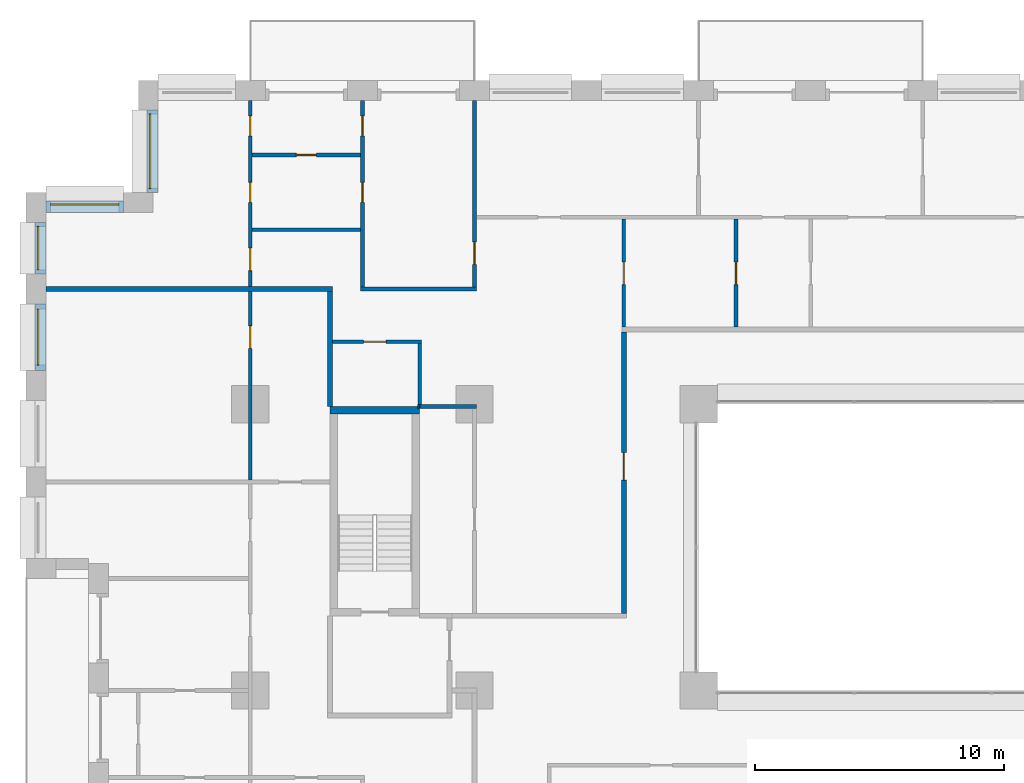
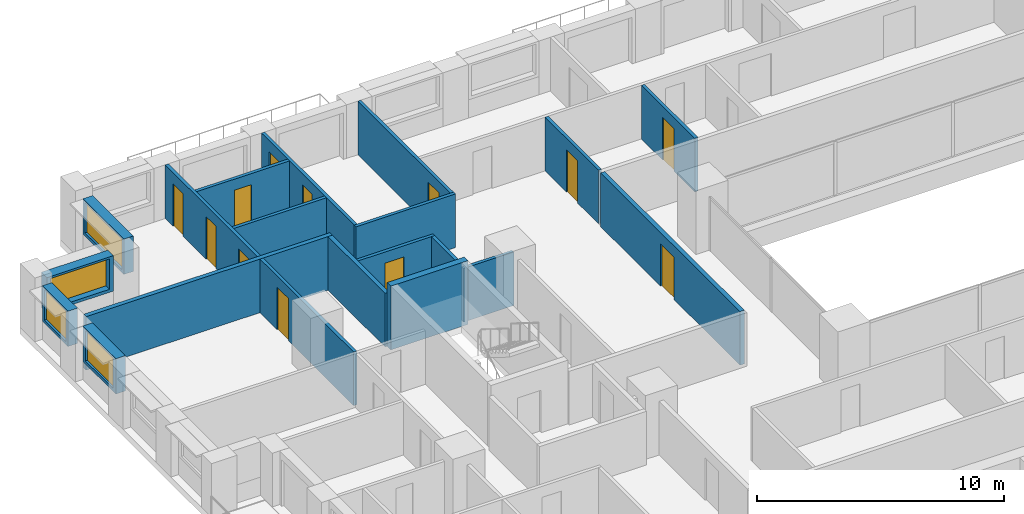
# One storey, part 13 of 20: 21 walls, 12 doors, 4 windows, 16 openings.
"""IFC4 building model written with IfcOpenShell, lengths in metres."""

from ifc_helpers import new_model, si_unit, direction, frame, frame_2d, origin, place, context, subcontext, project, spatial, rectangle, extrude, material, layer, layer_set, type_object, element, fill, save


model = new_model("IFC4")

# Units and contexts
model_context = context("Model", 3, precision=1e-05, world=origin(), true_north=direction((0.0, 1.0)))
body_context = subcontext(model_context, "Body", "Model", "MODEL_VIEW")
ifc_project = project(units=[si_unit("LENGTHUNIT", "METRE"), si_unit("AREAUNIT", "SQUARE_METRE"), si_unit("VOLUMEUNIT", "CUBIC_METRE"), si_unit("PLANEANGLEUNIT", "RADIAN"), si_unit("MASSUNIT", "GRAM", prefix="KILO")], contexts=[model_context])

# Site, building, storey
site_placement = place(None, origin())
site = spatial("IfcSite", under=ifc_project, at=site_placement, CompositionType="ELEMENT")
building_placement = place(site_placement, origin())
building = spatial("IfcBuilding", under=site, at=building_placement, Name="Brigalow Station Residences", CompositionType="ELEMENT")
storey_placement = place(building_placement, frame((0.0, 0.0, 69.89990234375)))
storey = spatial("IfcBuildingStorey", under=building, at=storey_placement, Name="L20", CompositionType="ELEMENT", Elevation=69.89990234375)

# Wall, opening, window
ifc_material_1 = material(Name="Clay brick masonry", Category="masonry")
ifc_layer_1 = layer(ifc_material_1, 0.449951171875)
ifc_layer_set_1 = layer_set([ifc_layer_1], Name="BRICK INFILL WALL 450")
wall_type_1 = type_object("IfcWallType", Name="BRICK INFILL WALL 450", PredefinedType="SOLIDWALL", material=ifc_layer_set_1)
wall_1_placement = place(storey_placement, frame((5.074951171875, 47.300048828125, 0.900146484375), z_axis=(0.0, 0.0, 1.0), x_axis=(0.0, -1.0, 0.0)))
wall_1 = element("IfcWall", 1, at=wall_1_placement, inside=storey, type_object=wall_type_1, Name="L20/ewall/W-L20-40", PredefinedType="SOLIDWALL", context=body_context, shape_type="SweptSolid", body=[
    extrude(rectangle(XDim=3.300048828125, YDim=0.449951171875, at=frame_2d((1.64990234375, 0.0))), origin(), (0.0, 0.0, 1.0), 1.75),
])
opening_1_placement = place(wall_1_placement, frame((0.14990234375, 0.0, 0.14990234375)))
opening_1 = element("IfcOpeningElement", 2, at=opening_1_placement, cuts=wall_1, Name="Opening WT-2", PredefinedType="OPENING", context=body_context, shape_type="SweptSolid", body=[
    extrude(rectangle(XDim=3.0, YDim=1.5, at=frame_2d((1.5, 0.75))), frame((0.0, 0.23486328125, 0.0), z_axis=(0.0, -1.0, 0.0), x_axis=(1.0, 0.0, 0.0)), (0.0, 0.0, 1.0), 0.469970703125),
])
ifc_material_2 = material(Name="Anodised aluminium frame with double glazing", Category="aluminium")
window_type_1 = type_object("IfcWindowType", Name="WINDOW 3000x1500", PartitioningType="SINGLE_PANEL", PredefinedType="WINDOW", material=ifc_material_2)
window_1_placement = place(opening_1_placement, origin())
window_1 = element("IfcWindow", 3, at=window_1_placement, inside=storey, type_object=window_type_1, Name="L20/window/W-L20-40", OverallHeight=1.5, OverallWidth=3.0, PartitioningType="SINGLE_PANEL", PredefinedType="WINDOW", context=body_context, shape_type="SweptSolid", body=[
    extrude(rectangle(XDim=3.0, YDim=1.5, at=frame_2d((1.5, 0.75))), frame((0.0, -0.06494140625, 0.0), z_axis=(0.0, -1.0, 0.0), x_axis=(1.0, 0.0, 0.0)), (0.0, 0.0, 1.0), 0.06005859375),
])
fill(opening_1, window_1)

wall_2_placement = place(storey_placement, frame((3.89990234375, 43.425048828125, 0.900146484375), z_axis=(0.0, 0.0, 1.0), x_axis=(-1.0, 0.0, 0.0)))
wall_2 = element("IfcWall", 4, at=wall_2_placement, inside=storey, type_object=wall_type_1, Name="L20/ewall/W-L20-41", PredefinedType="SOLIDWALL", context=body_context, shape_type="SweptSolid", body=[
    extrude(rectangle(XDim=3.099853515625, YDim=0.449951171875, at=frame_2d((1.5498046875, 0.0))), origin(), (0.0, 0.0, 1.0), 1.75),
])
opening_2_placement = place(wall_2_placement, frame((0.175048828125, 0.0, 0.14990234375)))
opening_2 = element("IfcOpeningElement", 5, at=opening_2_placement, cuts=wall_2, Name="Opening WT-3", PredefinedType="OPENING", context=body_context, shape_type="SweptSolid", body=[
    extrude(rectangle(XDim=2.75, YDim=1.5, at=frame_2d((1.375, 0.75))), frame((0.0, 0.23486328125, 0.0), z_axis=(0.0, -1.0, 0.0), x_axis=(1.0, 0.0, 0.0)), (0.0, 0.0, 1.0), 0.469970703125),
])
ifc_material_3 = material(Name="Anodised aluminium frame with double glazing", Category="aluminium")
window_type_2 = type_object("IfcWindowType", Name="WINDOW 2750x1500", PartitioningType="SINGLE_PANEL", PredefinedType="WINDOW", material=ifc_material_3)
window_2_placement = place(opening_2_placement, origin())
window_2 = element("IfcWindow", 6, at=window_2_placement, inside=storey, type_object=window_type_2, Name="L20/window/W-L20-41", OverallHeight=1.5, OverallWidth=2.75, PartitioningType="SINGLE_PANEL", PredefinedType="WINDOW", context=body_context, shape_type="SweptSolid", body=[
    extrude(rectangle(XDim=2.75, YDim=1.5, at=frame_2d((1.375, 0.75))), frame((0.0, -0.06494140625, 0.0), z_axis=(0.0, -1.0, 0.0), x_axis=(1.0, 0.0, 0.0)), (0.0, 0.0, 1.0), 0.06005859375),
])
fill(opening_2, window_2)

wall_3_placement = place(storey_placement, frame((0.574951171875, 42.800048828125, 0.900146484375), z_axis=(0.0, 0.0, 1.0), x_axis=(0.0, -1.0, 0.0)))
wall_3 = element("IfcWall", 7, at=wall_3_placement, inside=storey, type_object=wall_type_1, Name="L20/ewall/W-L20-42", PredefinedType="SOLIDWALL", context=body_context, shape_type="SweptSolid", body=[
    extrude(rectangle(XDim=2.074951171875, YDim=0.449951171875, at=frame_2d((1.03759765625, 0.0))), origin(), (0.0, 0.0, 1.0), 1.75),
])
opening_3_placement = place(wall_3_placement, frame((0.16259765625, 0.0, 0.14990234375)))
opening_3 = element("IfcOpeningElement", 8, at=opening_3_placement, cuts=wall_3, Name="Opening WT-4", PredefinedType="OPENING", context=body_context, shape_type="SweptSolid", body=[
    extrude(rectangle(XDim=1.75, YDim=1.5, at=frame_2d((0.875, 0.75))), frame((0.0, 0.23486328125, 0.0), z_axis=(0.0, -1.0, 0.0), x_axis=(1.0, 0.0, 0.0)), (0.0, 0.0, 1.0), 0.469970703125),
])
ifc_material_4 = material(Name="Anodised aluminium frame with double glazing", Category="aluminium")
window_type_3 = type_object("IfcWindowType", Name="WINDOW 1750x1500", PartitioningType="SINGLE_PANEL", PredefinedType="WINDOW", material=ifc_material_4)
window_3_placement = place(opening_3_placement, origin())
window_3 = element("IfcWindow", 9, at=window_3_placement, inside=storey, type_object=window_type_3, Name="L20/window/W-L20-42", OverallHeight=1.5, OverallWidth=1.75, PartitioningType="SINGLE_PANEL", PredefinedType="WINDOW", context=body_context, shape_type="SweptSolid", body=[
    extrude(rectangle(XDim=1.75, YDim=1.5, at=frame_2d((0.875, 0.75))), frame((0.0, -0.06494140625, 0.0), z_axis=(0.0, -1.0, 0.0), x_axis=(1.0, 0.0, 0.0)), (0.0, 0.0, 1.0), 0.06005859375),
])
fill(opening_3, window_3)

wall_4_placement = place(storey_placement, frame((0.574951171875, 39.52490234375, 0.900146484375), z_axis=(0.0, 0.0, 1.0), x_axis=(0.0, -1.0, 0.0)))
wall_4 = element("IfcWall", 10, at=wall_4_placement, inside=storey, type_object=wall_type_1, Name="L20/ewall/W-L20-43", PredefinedType="SOLIDWALL", context=body_context, shape_type="SweptSolid", body=[
    extrude(rectangle(XDim=2.6748046875, YDim=0.449951171875, at=frame_2d((1.33740234375, 0.0))), origin(), (0.0, 0.0, 1.0), 1.75),
])
opening_4_placement = place(wall_4_placement, frame((0.21240234375, 0.0, 0.14990234375)))
opening_4 = element("IfcOpeningElement", 11, at=opening_4_placement, cuts=wall_4, Name="Opening WT-6", PredefinedType="OPENING", context=body_context, shape_type="SweptSolid", body=[
    extrude(rectangle(XDim=2.25, YDim=1.5, at=frame_2d((1.125, 0.75))), frame((0.0, 0.23486328125, 0.0), z_axis=(0.0, -1.0, 0.0), x_axis=(1.0, 0.0, 0.0)), (0.0, 0.0, 1.0), 0.469970703125),
])
ifc_material_5 = material(Name="Anodised aluminium frame with double glazing", Category="aluminium")
window_type_4 = type_object("IfcWindowType", Name="WINDOW 2250x1500", PartitioningType="SINGLE_PANEL", PredefinedType="WINDOW", material=ifc_material_5)
window_4_placement = place(opening_4_placement, origin())
window_4 = element("IfcWindow", 12, at=window_4_placement, inside=storey, type_object=window_type_4, Name="L20/window/W-L20-43", OverallHeight=1.5, OverallWidth=2.25, PartitioningType="SINGLE_PANEL", PredefinedType="WINDOW", context=body_context, shape_type="SweptSolid", body=[
    extrude(rectangle(XDim=2.25, YDim=1.5, at=frame_2d((1.125, 0.75))), frame((0.0, -0.06494140625, 0.0), z_axis=(0.0, -1.0, 0.0), x_axis=(1.0, 0.0, 0.0)), (0.0, 0.0, 1.0), 0.06005859375),
])
fill(opening_4, window_4)

# Walls
ifc_material_6 = material(Name="Concrete C80", Category="concrete")
ifc_layer_2 = layer(ifc_material_6, 0.300048828125)
ifc_layer_set_2 = layer_set([ifc_layer_2], Name="CORE SHEAR WALL 300 C80")
wall_type_2 = type_object("IfcWallType", Name="CORE SHEAR WALL 300 C80", PredefinedType="SHEAR", material=ifc_layer_set_2)
wall_5_placement = place(storey_placement, frame((12.199951171875, 35.25, 0.0), z_axis=(0.0, 0.0, 1.0), x_axis=(1.0, 0.0, 0.0)))
element("IfcWall", 13, at=wall_5_placement, inside=storey, type_object=wall_type_2, Name="CORE WALL ST-S1-N L20", PredefinedType="SHEAR", context=body_context, shape_type="SweptSolid", body=[
    extrude(rectangle(XDim=3.60009765625, YDim=0.300048828125, at=frame_2d((1.800048828125, 0.0))), origin(), (0.0, 0.0, 1.0), 3.150146484375),
])
ifc_material_7 = material(Name="Plasterboard on steel stud partition", Category="steel")
ifc_layer_3 = layer(ifc_material_7, 0.14990234375)
ifc_layer_set_3 = layer_set([ifc_layer_3], Name="FLAT PARTITION 150")
wall_type_3 = type_object("IfcWallType", Name="FLAT PARTITION 150", PredefinedType="PARTITIONING", material=ifc_layer_set_3)
wall_6_placement = place(storey_placement, frame((13.425048828125, 40.125, 0.0), z_axis=(0.0, 0.0, 1.0), x_axis=(1.0, 0.0, 0.0)))
element("IfcWall", 14, at=wall_6_placement, inside=storey, type_object=wall_type_3, Name="PW-1G24", PredefinedType="PARTITIONING", context=body_context, shape_type="SweptSolid", body=[
    extrude(rectangle(XDim=4.64990234375, YDim=0.14990234375, at=frame_2d((2.324951171875, 0.0))), origin(), (0.0, 0.0, 1.0), 2.650146484375),
])
wall_7_placement = place(storey_placement, frame((15.72509765625, 35.39990234375, 0.0), z_axis=(0.0, 0.0, 1.0), x_axis=(1.0, 0.0, 0.0)))
element("IfcWall", 15, at=wall_7_placement, inside=storey, type_object=wall_type_3, Name="PW-1G29", PredefinedType="PARTITIONING", context=body_context, shape_type="SweptSolid", body=[
    extrude(rectangle(XDim=0.074951171875, YDim=0.14990234375, at=frame_2d((0.03759765625, 0.0))), origin(), (0.0, 0.0, 1.0), 2.650146484375),
])
wall_8_placement = place(storey_placement, frame((15.800048828125, 35.39990234375, 0.0), z_axis=(0.0, 0.0, 1.0), x_axis=(1.0, 0.0, 0.0)))
element("IfcWall", 16, at=wall_8_placement, inside=storey, type_object=wall_type_3, Name="PW-1G30", PredefinedType="PARTITIONING", context=body_context, shape_type="SweptSolid", body=[
    extrude(rectangle(XDim=2.27490234375, YDim=0.14990234375, at=frame_2d((1.137451171875, 0.0))), origin(), (0.0, 0.0, 1.0), 2.650146484375),
])

# Wall, opening, door
wall_9_placement = place(storey_placement, frame((12.300048828125, 38.0, 0.0), z_axis=(0.0, 0.0, 1.0), x_axis=(1.0, 0.0, 0.0)))
wall_9 = element("IfcWall", 17, at=wall_9_placement, inside=storey, type_object=wall_type_3, Name="PW-1G34", PredefinedType="PARTITIONING", context=body_context, shape_type="SweptSolid", body=[
    extrude(rectangle(XDim=3.574951171875, YDim=0.14990234375, at=frame_2d((1.78759765625, 0.0))), origin(), (0.0, 0.0, 1.0), 2.650146484375),
])
opening_5_placement = place(wall_9_placement, frame((1.25, 0.0, 0.0)))
opening_5 = element("IfcOpeningElement", 18, at=opening_5_placement, cuts=wall_9, Name="Opening D-1G32", PredefinedType="OPENING", context=body_context, shape_type="SweptSolid", body=[
    extrude(rectangle(XDim=0.89990234375, YDim=2.10009765625, at=frame_2d((0.449951171875, 1.050048828125))), frame((0.0, 0.0849609375, 0.0), z_axis=(0.0, -1.0, 0.0), x_axis=(1.0, 0.0, 0.0)), (0.0, 0.0, 1.0), 0.169921875),
])
ifc_material_8 = material(Name="Solid-core timber door leaf", Category="wood")
door_type_1 = type_object("IfcDoorType", Name="INTERNAL DOOR 900 x 2100", OperationType="SINGLE_SWING_LEFT", PredefinedType="DOOR", material=ifc_material_8)
door_1_placement = place(opening_5_placement, frame((0.89990234375, 0.0, 0.0), z_axis=(0.0, 0.0, 1.0), x_axis=(-1.0, 0.0, 0.0)))
door_1 = element("IfcDoor", 19, at=door_1_placement, inside=storey, type_object=door_type_1, Name="D-1G32", OperationType="SINGLE_SWING_RIGHT", OverallHeight=2.10009765625, OverallWidth=0.89990234375, PredefinedType="DOOR", context=body_context, shape_type="SweptSolid", body=[
    extrude(rectangle(XDim=0.89990234375, YDim=2.10009765625, at=frame_2d((0.449951171875, 1.050048828125))), frame((0.0, 0.02490234375, 0.0), z_axis=(0.0, -1.0, 0.0), x_axis=(1.0, 0.0, 0.0)), (0.0, 0.0, 1.0), 0.050048828125),
])
fill(opening_5, door_1)

# Wall
wall_10_placement = place(storey_placement, frame((9.074951171875, 42.5, 0.0), z_axis=(0.0, 0.0, 1.0), x_axis=(1.0, 0.0, 0.0)))
element("IfcWall", 20, at=wall_10_placement, inside=storey, type_object=wall_type_3, Name="PW-1G35", PredefinedType="PARTITIONING", context=body_context, shape_type="SweptSolid", body=[
    extrude(rectangle(XDim=4.35009765625, YDim=0.14990234375, at=frame_2d((2.175048828125, 0.0))), origin(), (0.0, 0.0, 1.0), 2.650146484375),
])

# Wall, opening, door
wall_11_placement = place(storey_placement, frame((9.074951171875, 45.5, 0.0), z_axis=(0.0, 0.0, 1.0), x_axis=(1.0, 0.0, 0.0)))
wall_11 = element("IfcWall", 21, at=wall_11_placement, inside=storey, type_object=wall_type_3, Name="PW-1G36", PredefinedType="PARTITIONING", context=body_context, shape_type="SweptSolid", body=[
    extrude(rectangle(XDim=4.35009765625, YDim=0.14990234375, at=frame_2d((2.175048828125, 0.0))), origin(), (0.0, 0.0, 1.0), 2.650146484375),
])
opening_6_placement = place(wall_11_placement, frame((1.77490234375, 0.0, 0.0)))
opening_6 = element("IfcOpeningElement", 22, at=opening_6_placement, cuts=wall_11, Name="Opening D-1G25", PredefinedType="OPENING", context=body_context, shape_type="SweptSolid", body=[
    extrude(rectangle(XDim=0.800048828125, YDim=2.10009765625, at=frame_2d((0.39990234375, 1.050048828125))), frame((0.0, 0.0849609375, 0.0), z_axis=(0.0, -1.0, 0.0), x_axis=(1.0, 0.0, 0.0)), (0.0, 0.0, 1.0), 0.169921875),
])
ifc_material_9 = material(Name="Solid-core timber door leaf", Category="wood")
door_type_2 = type_object("IfcDoorType", Name="INTERNAL DOOR 800 x 2100", OperationType="SINGLE_SWING_LEFT", PredefinedType="DOOR", material=ifc_material_9)
door_2_placement = place(opening_6_placement, origin())
door_2 = element("IfcDoor", 23, at=door_2_placement, inside=storey, type_object=door_type_2, Name="D-1G25", OperationType="SINGLE_SWING_RIGHT", OverallHeight=2.10009765625, OverallWidth=0.800048828125, PredefinedType="DOOR", context=body_context, shape_type="SweptSolid", body=[
    extrude(rectangle(XDim=0.800048828125, YDim=2.10009765625, at=frame_2d((0.39990234375, 1.050048828125))), frame((0.0, 0.02490234375, 0.0), z_axis=(0.0, -1.0, 0.0), x_axis=(1.0, 0.0, 0.0)), (0.0, 0.0, 1.0), 0.050048828125),
])
fill(opening_6, door_2)

wall_12_placement = place(storey_placement, frame((18.0, 40.199951171875, 0.0), z_axis=(0.0, 0.0, 1.0), x_axis=(0.0, 1.0, 0.0)))
wall_12 = element("IfcWall", 24, at=wall_12_placement, inside=storey, type_object=wall_type_3, Name="PW-1G40", PredefinedType="PARTITIONING", context=body_context, shape_type="SweptSolid", body=[
    extrude(rectangle(XDim=7.5, YDim=0.14990234375, at=frame_2d((3.75, 0.0))), origin(), (0.0, 0.0, 1.0), 2.650146484375),
])
opening_7_placement = place(wall_12_placement, frame((0.912109375, 0.0, 0.0)))
opening_7 = element("IfcOpeningElement", 25, at=opening_7_placement, cuts=wall_12, Name="Opening D-1G20", PredefinedType="OPENING", context=body_context, shape_type="SweptSolid", body=[
    extrude(rectangle(XDim=0.89990234375, YDim=2.10009765625, at=frame_2d((0.449951171875, 1.050048828125))), frame((0.0, 0.0849609375, 0.0), z_axis=(0.0, -1.0, 0.0), x_axis=(1.0, 0.0, 0.0)), (0.0, 0.0, 1.0), 0.169921875),
])
door_3_placement = place(opening_7_placement, origin())
door_3 = element("IfcDoor", 26, at=door_3_placement, inside=storey, type_object=door_type_1, Name="D-1G20", OperationType="SINGLE_SWING_LEFT", OverallHeight=2.10009765625, OverallWidth=0.89990234375, PredefinedType="DOOR", context=body_context, shape_type="SweptSolid", body=[
    extrude(rectangle(XDim=0.89990234375, YDim=2.10009765625, at=frame_2d((0.449951171875, 1.050048828125))), frame((0.0, 0.02490234375, 0.0), z_axis=(0.0, -1.0, 0.0), x_axis=(1.0, 0.0, 0.0)), (0.0, 0.0, 1.0), 0.050048828125),
])
fill(opening_7, door_3)

wall_13_placement = place(storey_placement, frame((24.0, 38.60009765625, 0.0), z_axis=(0.0, 0.0, 1.0), x_axis=(0.0, 1.0, 0.0)))
wall_13 = element("IfcWall", 27, at=wall_13_placement, inside=storey, type_object=wall_type_3, Name="PW-1G47", PredefinedType="PARTITIONING", context=body_context, shape_type="SweptSolid", body=[
    extrude(rectangle(XDim=4.324951171875, YDim=0.14990234375, at=frame_2d((2.16259765625, 0.0))), origin(), (0.0, 0.0, 1.0), 2.650146484375),
])
opening_8_placement = place(wall_13_placement, frame((1.699951171875, 0.0, 0.0)))
opening_8 = element("IfcOpeningElement", 28, at=opening_8_placement, cuts=wall_13, Name="Opening D-1G28", PredefinedType="OPENING", context=body_context, shape_type="SweptSolid", body=[
    extrude(rectangle(XDim=0.89990234375, YDim=2.10009765625, at=frame_2d((0.449951171875, 1.050048828125))), frame((0.0, 0.0849609375, 0.0), z_axis=(0.0, -1.0, 0.0), x_axis=(1.0, 0.0, 0.0)), (0.0, 0.0, 1.0), 0.169921875),
])
door_4_placement = place(opening_8_placement, frame((0.89990234375, 0.0, 0.0), z_axis=(0.0, 0.0, 1.0), x_axis=(-1.0, 0.0, 0.0)))
door_4 = element("IfcDoor", 29, at=door_4_placement, inside=storey, type_object=door_type_1, Name="D-1G28", OperationType="SINGLE_SWING_RIGHT", OverallHeight=2.10009765625, OverallWidth=0.89990234375, PredefinedType="DOOR", context=body_context, shape_type="SweptSolid", body=[
    extrude(rectangle(XDim=0.89990234375, YDim=2.10009765625, at=frame_2d((0.449951171875, 1.050048828125))), frame((0.0, 0.02490234375, 0.0), z_axis=(0.0, -1.0, 0.0), x_axis=(1.0, 0.0, 0.0)), (0.0, 0.0, 1.0), 0.050048828125),
])
fill(opening_8, door_4)

# Wall, openings, doors
wall_14_placement = place(storey_placement, frame((13.5, 40.199951171875, 0.0), z_axis=(0.0, 0.0, 1.0), x_axis=(0.0, 1.0, 0.0)))
wall_14 = element("IfcWall", 30, at=wall_14_placement, inside=storey, type_object=wall_type_3, Name="PW-1G52", PredefinedType="PARTITIONING", context=body_context, shape_type="SweptSolid", body=[
    extrude(rectangle(XDim=7.5, YDim=0.14990234375, at=frame_2d((3.75, 0.0))), origin(), (0.0, 0.0, 1.0), 2.650146484375),
])
opening_9_placement = place(wall_14_placement, frame((6.074951171875, 0.0, 0.0)))
opening_9 = element("IfcOpeningElement", 31, at=opening_9_placement, cuts=wall_14, Name="Opening D-1G18", PredefinedType="OPENING", context=body_context, shape_type="SweptSolid", body=[
    extrude(rectangle(XDim=0.800048828125, YDim=2.10009765625, at=frame_2d((0.39990234375, 1.050048828125))), frame((0.0, 0.0849609375, 0.0), z_axis=(0.0, -1.0, 0.0), x_axis=(1.0, 0.0, 0.0)), (0.0, 0.0, 1.0), 0.169921875),
])
opening_10_placement = place(wall_14_placement, frame((3.39990234375, 0.0, 0.0)))
opening_10 = element("IfcOpeningElement", 32, at=opening_10_placement, cuts=wall_14, Name="Opening D-1G19", PredefinedType="OPENING", context=body_context, shape_type="SweptSolid", body=[
    extrude(rectangle(XDim=0.800048828125, YDim=2.10009765625, at=frame_2d((0.39990234375, 1.050048828125))), frame((0.0, 0.0849609375, 0.0), z_axis=(0.0, -1.0, 0.0), x_axis=(1.0, 0.0, 0.0)), (0.0, 0.0, 1.0), 0.169921875),
])
door_5_placement = place(opening_9_placement, origin())
door_5 = element("IfcDoor", 33, at=door_5_placement, inside=storey, type_object=door_type_2, Name="D-1G18", OperationType="SINGLE_SWING_RIGHT", OverallHeight=2.10009765625, OverallWidth=0.800048828125, PredefinedType="DOOR", context=body_context, shape_type="SweptSolid", body=[
    extrude(rectangle(XDim=0.800048828125, YDim=2.10009765625, at=frame_2d((0.39990234375, 1.050048828125))), frame((0.0, 0.02490234375, 0.0), z_axis=(0.0, -1.0, 0.0), x_axis=(1.0, 0.0, 0.0)), (0.0, 0.0, 1.0), 0.050048828125),
])
fill(opening_9, door_5)
door_6_placement = place(opening_10_placement, origin())
door_6 = element("IfcDoor", 34, at=door_6_placement, inside=storey, type_object=door_type_2, Name="D-1G19", OperationType="SINGLE_SWING_RIGHT", OverallHeight=2.10009765625, OverallWidth=0.800048828125, PredefinedType="DOOR", context=body_context, shape_type="SweptSolid", body=[
    extrude(rectangle(XDim=0.800048828125, YDim=2.10009765625, at=frame_2d((0.39990234375, 1.050048828125))), frame((0.0, 0.02490234375, 0.0), z_axis=(0.0, -1.0, 0.0), x_axis=(1.0, 0.0, 0.0)), (0.0, 0.0, 1.0), 0.050048828125),
])
fill(opening_10, door_6)

# Wall, opening, door
wall_15_placement = place(storey_placement, frame((9.0, 32.449951171875, 0.0), z_axis=(0.0, 0.0, 1.0), x_axis=(0.0, 1.0, 0.0)))
wall_15 = element("IfcWall", 35, at=wall_15_placement, inside=storey, type_object=wall_type_3, Name="PW-1G57", PredefinedType="PARTITIONING", context=body_context, shape_type="SweptSolid", body=[
    extrude(rectangle(XDim=7.574951171875, YDim=0.14990234375, at=frame_2d((3.78759765625, 0.0))), origin(), (0.0, 0.0, 1.0), 2.650146484375),
])
opening_11_placement = place(wall_15_placement, frame((5.2880859375, 0.0, 0.0)))
opening_11 = element("IfcOpeningElement", 36, at=opening_11_placement, cuts=wall_15, Name="Opening D-1G16", PredefinedType="OPENING", context=body_context, shape_type="SweptSolid", body=[
    extrude(rectangle(XDim=0.89990234375, YDim=2.10009765625, at=frame_2d((0.449951171875, 1.050048828125))), frame((0.0, 0.0849609375, 0.0), z_axis=(0.0, -1.0, 0.0), x_axis=(1.0, 0.0, 0.0)), (0.0, 0.0, 1.0), 0.169921875),
])
door_7_placement = place(opening_11_placement, frame((0.89990234375, 0.0, 0.0), z_axis=(0.0, 0.0, 1.0), x_axis=(-1.0, 0.0, 0.0)))
door_7 = element("IfcDoor", 37, at=door_7_placement, inside=storey, type_object=door_type_1, Name="D-1G16", OperationType="SINGLE_SWING_LEFT", OverallHeight=2.10009765625, OverallWidth=0.89990234375, PredefinedType="DOOR", context=body_context, shape_type="SweptSolid", body=[
    extrude(rectangle(XDim=0.89990234375, YDim=2.10009765625, at=frame_2d((0.449951171875, 1.050048828125))), frame((0.0, 0.02490234375, 0.0), z_axis=(0.0, -1.0, 0.0), x_axis=(1.0, 0.0, 0.0)), (0.0, 0.0, 1.0), 0.050048828125),
])
fill(opening_11, door_7)

# Wall, openings, doors
wall_16_placement = place(storey_placement, frame((9.0, 40.22509765625, 0.0), z_axis=(0.0, 0.0, 1.0), x_axis=(0.0, 1.0, 0.0)))
wall_16 = element("IfcWall", 38, at=wall_16_placement, inside=storey, type_object=wall_type_3, Name="PW-1G58", PredefinedType="PARTITIONING", context=body_context, shape_type="SweptSolid", body=[
    extrude(rectangle(XDim=7.474853515625, YDim=0.14990234375, at=frame_2d((3.7373046875, 0.0))), origin(), (0.0, 0.0, 1.0), 2.650146484375),
])
opening_12_placement = place(wall_16_placement, frame((6.050048828125, 0.0, 0.0)))
opening_12 = element("IfcOpeningElement", 39, at=opening_12_placement, cuts=wall_16, Name="Opening D-1G26", PredefinedType="OPENING", context=body_context, shape_type="SweptSolid", body=[
    extrude(rectangle(XDim=0.800048828125, YDim=2.10009765625, at=frame_2d((0.39990234375, 1.050048828125))), frame((0.0, 0.0849609375, 0.0), z_axis=(0.0, -1.0, 0.0), x_axis=(1.0, 0.0, 0.0)), (0.0, 0.0, 1.0), 0.169921875),
])
opening_13_placement = place(wall_16_placement, frame((3.375, 0.0, 0.0)))
opening_13 = element("IfcOpeningElement", 40, at=opening_13_placement, cuts=wall_16, Name="Opening D-1G27", PredefinedType="OPENING", context=body_context, shape_type="SweptSolid", body=[
    extrude(rectangle(XDim=0.800048828125, YDim=2.10009765625, at=frame_2d((0.39990234375, 1.050048828125))), frame((0.0, 0.0849609375, 0.0), z_axis=(0.0, -1.0, 0.0), x_axis=(1.0, 0.0, 0.0)), (0.0, 0.0, 1.0), 0.169921875),
])
opening_14_placement = place(wall_16_placement, frame((0.636962890625, 0.0, 0.0)))
opening_14 = element("IfcOpeningElement", 41, at=opening_14_placement, cuts=wall_16, Name="Opening D-1G31", PredefinedType="OPENING", context=body_context, shape_type="SweptSolid", body=[
    extrude(rectangle(XDim=0.89990234375, YDim=2.10009765625, at=frame_2d((0.449951171875, 1.050048828125))), frame((0.0, 0.0849609375, 0.0), z_axis=(0.0, -1.0, 0.0), x_axis=(1.0, 0.0, 0.0)), (0.0, 0.0, 1.0), 0.169921875),
])
door_8_placement = place(opening_12_placement, frame((0.800048828125, 0.0, 0.0), z_axis=(0.0, 0.0, 1.0), x_axis=(-1.0, 0.0, 0.0)))
door_8 = element("IfcDoor", 42, at=door_8_placement, inside=storey, type_object=door_type_2, Name="D-1G26", OperationType="SINGLE_SWING_LEFT", OverallHeight=2.10009765625, OverallWidth=0.800048828125, PredefinedType="DOOR", context=body_context, shape_type="SweptSolid", body=[
    extrude(rectangle(XDim=0.800048828125, YDim=2.10009765625, at=frame_2d((0.39990234375, 1.050048828125))), frame((0.0, 0.02490234375, 0.0), z_axis=(0.0, -1.0, 0.0), x_axis=(1.0, 0.0, 0.0)), (0.0, 0.0, 1.0), 0.050048828125),
])
fill(opening_12, door_8)
door_9_placement = place(opening_13_placement, frame((0.800048828125, 0.0, 0.0), z_axis=(0.0, 0.0, 1.0), x_axis=(-1.0, 0.0, 0.0)))
door_9 = element("IfcDoor", 43, at=door_9_placement, inside=storey, type_object=door_type_2, Name="D-1G27", OperationType="SINGLE_SWING_LEFT", OverallHeight=2.10009765625, OverallWidth=0.800048828125, PredefinedType="DOOR", context=body_context, shape_type="SweptSolid", body=[
    extrude(rectangle(XDim=0.800048828125, YDim=2.10009765625, at=frame_2d((0.39990234375, 1.050048828125))), frame((0.0, 0.02490234375, 0.0), z_axis=(0.0, -1.0, 0.0), x_axis=(1.0, 0.0, 0.0)), (0.0, 0.0, 1.0), 0.050048828125),
])
fill(opening_13, door_9)
door_10_placement = place(opening_14_placement, origin())
door_10 = element("IfcDoor", 44, at=door_10_placement, inside=storey, type_object=door_type_1, Name="D-1G31", OperationType="SINGLE_SWING_LEFT", OverallHeight=2.10009765625, OverallWidth=0.89990234375, PredefinedType="DOOR", context=body_context, shape_type="SweptSolid", body=[
    extrude(rectangle(XDim=0.89990234375, YDim=2.10009765625, at=frame_2d((0.449951171875, 1.050048828125))), frame((0.0, 0.02490234375, 0.0), z_axis=(0.0, -1.0, 0.0), x_axis=(1.0, 0.0, 0.0)), (0.0, 0.0, 1.0), 0.050048828125),
])
fill(opening_14, door_10)

# Wall
wall_17_placement = place(storey_placement, frame((15.800048828125, 35.47509765625, 0.0), z_axis=(0.0, 0.0, 1.0), x_axis=(0.0, 1.0, 0.0)))
element("IfcWall", 45, at=wall_17_placement, inside=storey, type_object=wall_type_3, Name="PW-1G60", PredefinedType="PARTITIONING", context=body_context, shape_type="SweptSolid", body=[
    extrude(rectangle(XDim=2.449951171875, YDim=0.14990234375, at=frame_2d((1.22509765625, 0.0))), origin(), (0.0, 0.0, 1.0), 2.650146484375),
])

# Wall, opening, door
wall_18_placement = place(storey_placement, frame((28.5, 38.60009765625, 0.0), z_axis=(0.0, 0.0, 1.0), x_axis=(0.0, 1.0, 0.0)))
wall_18 = element("IfcWall", 46, at=wall_18_placement, inside=storey, type_object=wall_type_3, Name="PW-1G62", PredefinedType="PARTITIONING", context=body_context, shape_type="SweptSolid", body=[
    extrude(rectangle(XDim=4.324951171875, YDim=0.14990234375, at=frame_2d((2.16259765625, 0.0))), origin(), (0.0, 0.0, 1.0), 2.650146484375),
])
opening_15_placement = place(wall_18_placement, frame((1.699951171875, 0.0, 0.0)))
opening_15 = element("IfcOpeningElement", 47, at=opening_15_placement, cuts=wall_18, Name="Opening D-1G33", PredefinedType="OPENING", context=body_context, shape_type="SweptSolid", body=[
    extrude(rectangle(XDim=0.89990234375, YDim=2.10009765625, at=frame_2d((0.449951171875, 1.050048828125))), frame((0.0, 0.0849609375, 0.0), z_axis=(0.0, -1.0, 0.0), x_axis=(1.0, 0.0, 0.0)), (0.0, 0.0, 1.0), 0.169921875),
])
door_11_placement = place(opening_15_placement, frame((0.89990234375, 0.0, 0.0), z_axis=(0.0, 0.0, 1.0), x_axis=(-1.0, 0.0, 0.0)))
door_11 = element("IfcDoor", 48, at=door_11_placement, inside=storey, type_object=door_type_1, Name="D-1G33", OperationType="SINGLE_SWING_RIGHT", OverallHeight=2.10009765625, OverallWidth=0.89990234375, PredefinedType="DOOR", context=body_context, shape_type="SweptSolid", body=[
    extrude(rectangle(XDim=0.89990234375, YDim=2.10009765625, at=frame_2d((0.449951171875, 1.050048828125))), frame((0.0, 0.02490234375, 0.0), z_axis=(0.0, -1.0, 0.0), x_axis=(1.0, 0.0, 0.0)), (0.0, 0.0, 1.0), 0.050048828125),
])
fill(opening_15, door_11)

# Wall
ifc_material_10 = material(Name="Plasterboard on steel stud partition", Category="steel")
ifc_layer_4 = layer(ifc_material_10, 0.199951171875)
ifc_layer_set_4 = layer_set([ifc_layer_4], Name="PARTY AND CORRIDOR WALL 200")
wall_type_4 = type_object("IfcWallType", Name="PARTY AND CORRIDOR WALL 200", PredefinedType="PARTITIONING", material=ifc_layer_set_4)
wall_19_placement = place(storey_placement, frame((0.800048828125, 40.125, 0.0), z_axis=(0.0, 0.0, 1.0), x_axis=(1.0, 0.0, 0.0)))
element("IfcWall", 49, at=wall_19_placement, inside=storey, type_object=wall_type_4, Name="PW-1G26", PredefinedType="PARTITIONING", context=body_context, shape_type="SweptSolid", body=[
    extrude(rectangle(XDim=11.5, YDim=0.199951171875, at=frame_2d((5.75, 0.0))), origin(), (0.0, 0.0, 1.0), 2.650146484375),
])

# Wall, opening, door
wall_20_placement = place(storey_placement, frame((24.0, 27.10009765625, 0.0), z_axis=(0.0, 0.0, 1.0), x_axis=(0.0, 1.0, 0.0)))
wall_20 = element("IfcWall", 50, at=wall_20_placement, inside=storey, type_object=wall_type_4, Name="PW-1G48", PredefinedType="PARTITIONING", context=body_context, shape_type="SweptSolid", body=[
    extrude(rectangle(XDim=11.2998046875, YDim=0.199951171875, at=frame_2d((5.64990234375, 0.0))), origin(), (0.0, 0.0, 1.0), 2.650146484375),
])
opening_16_placement = place(wall_20_placement, frame((5.35009765625, 0.0, 0.0)))
opening_16 = element("IfcOpeningElement", 51, at=opening_16_placement, cuts=wall_20, Name="Opening D-1G36", PredefinedType="OPENING", context=body_context, shape_type="SweptSolid", body=[
    extrude(rectangle(XDim=1.10009765625, YDim=2.10009765625, at=frame_2d((0.550048828125, 1.050048828125))), frame((0.0, 0.10986328125, 0.0), z_axis=(0.0, -1.0, 0.0), x_axis=(1.0, 0.0, 0.0)), (0.0, 0.0, 1.0), 0.219970703125),
])
ifc_material_11 = material(Name="Solid-core timber door leaf", Category="wood")
door_type_3 = type_object("IfcDoorType", Name="FLAT ENTRANCE DOOR 1100 x 2100 FRL -/60/30", OperationType="SINGLE_SWING_LEFT", PredefinedType="DOOR", material=ifc_material_11)
door_12_placement = place(opening_16_placement, origin())
door_12 = element("IfcDoor", 52, at=door_12_placement, inside=storey, type_object=door_type_3, Name="D-1G36", OperationType="SINGLE_SWING_LEFT", OverallHeight=2.10009765625, OverallWidth=1.10009765625, PredefinedType="DOOR", context=body_context, shape_type="SweptSolid", body=[
    extrude(rectangle(XDim=1.10009765625, YDim=2.10009765625, at=frame_2d((0.550048828125, 1.050048828125))), frame((0.0, 0.02490234375, 0.0), z_axis=(0.0, -1.0, 0.0), x_axis=(1.0, 0.0, 0.0)), (0.0, 0.0, 1.0), 0.050048828125),
])
fill(opening_16, door_12)

# Wall
wall_21_placement = place(storey_placement, frame((12.199951171875, 35.39990234375, 0.0), z_axis=(0.0, 0.0, 1.0), x_axis=(0.0, 1.0, 0.0)))
element("IfcWall", 53, at=wall_21_placement, inside=storey, type_object=wall_type_4, Name="PW-1G59", PredefinedType="PARTITIONING", context=body_context, shape_type="SweptSolid", body=[
    extrude(rectangle(XDim=4.625, YDim=0.199951171875, at=frame_2d((2.3125, 0.0))), origin(), (0.0, 0.0, 1.0), 2.650146484375),
])

save(model, "model.ifc")
